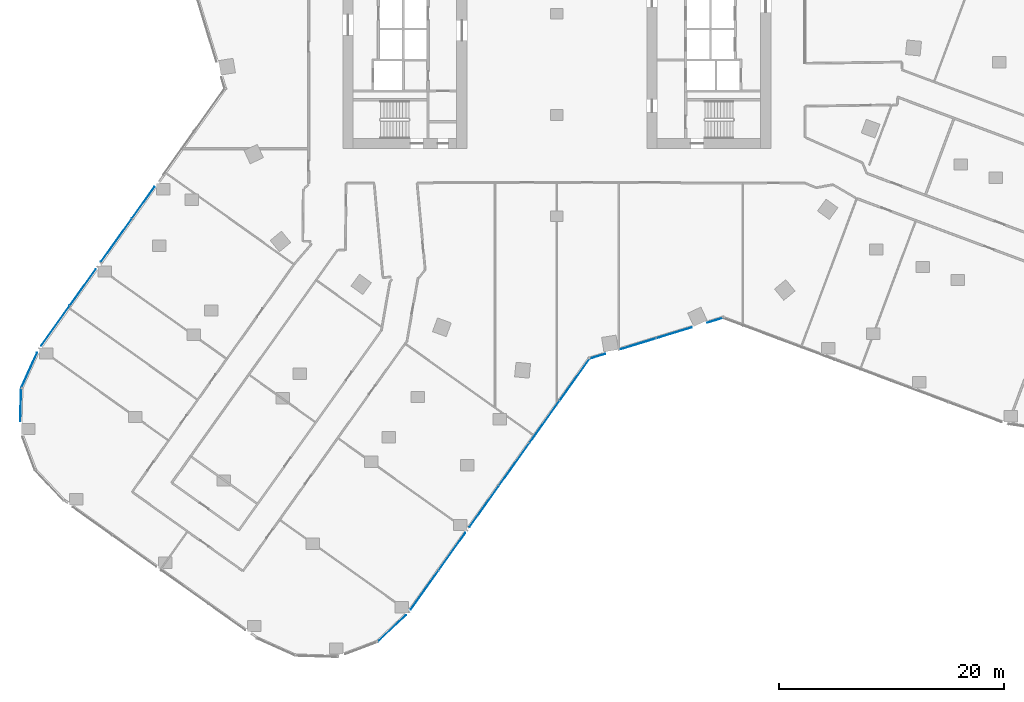
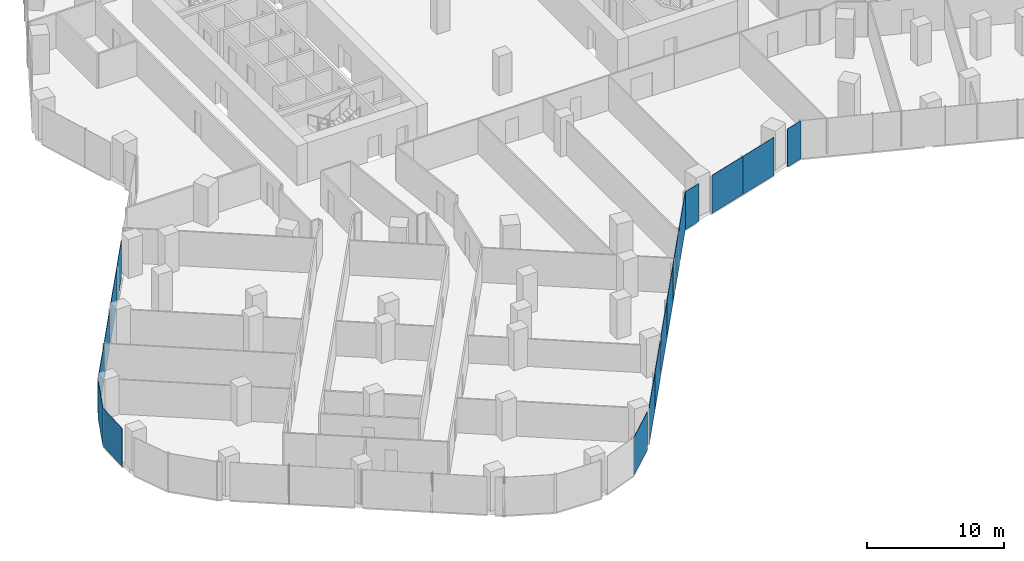
# One storey, part 17 of 31: 17 plates, 6 elements without a shape of their own.
"""IFC4 building model written with IfcOpenShell, lengths in metres."""

from ifc_helpers import new_model, si_unit, direction, frame, origin, origin_2d, place, context, subcontext, project, spatial, rectangle, extrude, material, layer, layer_set, type_object, element, aggregate, save


model = new_model("IFC4")

# Units and contexts
model_context = context("Model", 3, precision=1e-05, world=origin(), true_north=direction((0.0, 1.0)))
body_context = subcontext(model_context, "Body", "Model", "MODEL_VIEW")
ifc_project = project(units=[si_unit("LENGTHUNIT", "METRE"), si_unit("AREAUNIT", "SQUARE_METRE"), si_unit("VOLUMEUNIT", "CUBIC_METRE"), si_unit("PLANEANGLEUNIT", "RADIAN"), si_unit("MASSUNIT", "GRAM", prefix="KILO")], contexts=[model_context])

# Site, building, storey
site_placement = place(None, origin())
site = spatial("IfcSite", under=ifc_project, at=site_placement, CompositionType="ELEMENT")
building_placement = place(site_placement, origin())
building = spatial("IfcBuilding", under=site, at=building_placement, Name="Orlundy Tower", CompositionType="ELEMENT")
storey_placement = place(building_placement, frame((0.0, 0.0, 91.199951171875)))
storey = spatial("IfcBuildingStorey", under=building, at=storey_placement, Name="L22", CompositionType="ELEMENT", Elevation=91.199951171875)

# Curtain wall, plates
ifc_material_1 = material(Name="Aluminium bronze anodised", Category="aluminium")
curtain_wall_type = type_object("IfcCurtainWallType", Name="CW1 wall", PredefinedType="NOTDEFINED", material=ifc_material_1)
curtain_wall_1_placement = place(storey_placement, origin())
curtain_wall_1 = element("IfcCurtainWall", 1, at=curtain_wall_1_placement, inside=storey, type_object=curtain_wall_type, Name="CW1 run 00", PredefinedType="NOTDEFINED")
ifc_material_2 = material(Name="Tinted glass", Category="glass")
ifc_layer = layer(ifc_material_2, 0.031982421875)
ifc_layer_set = layer_set([ifc_layer], Name="CW1 glass panel 32")
plate_type = type_object("IfcPlateType", Name="CW1 glass panel 32", PredefinedType="CURTAIN_PANEL", material=ifc_layer_set)
plate_1_placement = place(storey_placement, frame((-44.547119140625, -27.729736328125, -0.27978515625), z_axis=(0.0, 0.0, 1.0), x_axis=(0.580700988829, 0.814116921316, 0.0)))
plate_1 = element("IfcPlate", 2, at=plate_1_placement, type_object=plate_type, Name="CW1 panel", PredefinedType="CURTAIN_PANEL", context=body_context, shape_type="SweptSolid", body=[
    extrude(rectangle(XDim=4.3486328125, YDim=0.031982421875, at=origin_2d()), origin(), (0.0, 0.0, 1.0), 3.3798828125),
])
plate_2_placement = place(storey_placement, frame((-42.10986328125, -24.312744140625, -0.27978515625), z_axis=(0.0, 0.0, 1.0), x_axis=(0.580700988829, 0.814116921316, 0.0)))
plate_2 = element("IfcPlate", 3, at=plate_2_placement, type_object=plate_type, Name="CW1 panel", PredefinedType="CURTAIN_PANEL", context=body_context, shape_type="SweptSolid", body=[
    extrude(rectangle(XDim=3.946044921875, YDim=0.031982421875, at=origin_2d()), origin(), (0.0, 0.0, 1.0), 3.3798828125),
])
plate_3_placement = place(storey_placement, frame((-39.127685546875, -20.132080078125, -0.27978515625), z_axis=(0.0, 0.0, 1.0), x_axis=(0.580700988829, 0.814116921316, 0.0)))
plate_3 = element("IfcPlate", 4, at=plate_3_placement, type_object=plate_type, Name="CW1 panel", PredefinedType="CURTAIN_PANEL", context=body_context, shape_type="SweptSolid", body=[
    extrude(rectangle(XDim=4.70556640625, YDim=0.031982421875, at=origin_2d()), origin(), (0.0, 0.0, 1.0), 3.3798828125),
])
plate_4_placement = place(storey_placement, frame((-36.74462890625, -16.791015625, -0.27978515625), z_axis=(0.0, 0.0, 1.0), x_axis=(0.580700988829, 0.814116921316, 0.0)))
plate_4 = element("IfcPlate", 5, at=plate_4_placement, type_object=plate_type, Name="CW1 panel", PredefinedType="CURTAIN_PANEL", context=body_context, shape_type="SweptSolid", body=[
    extrude(rectangle(XDim=3.40185546875, YDim=0.031982421875, at=origin_2d()), origin(), (0.0, 0.0, 1.0), 3.3798828125),
])
aggregate(curtain_wall_1, [plate_1, plate_2, plate_3, plate_4])

curtain_wall_2_placement = place(storey_placement, origin())
curtain_wall_2 = element("IfcCurtainWall", 6, at=curtain_wall_2_placement, inside=storey, type_object=curtain_wall_type, Name="CW1 run 017", PredefinedType="NOTDEFINED")
plate_5_placement = place(storey_placement, frame((14.0458984375, -27.248291015625, -0.27978515625), z_axis=(0.0, 0.0, 1.0), x_axis=(-0.956321102205, -0.292318233228, 0.0)))
plate_5 = element("IfcPlate", 7, at=plate_5_placement, type_object=plate_type, Name="CW1 panel", PredefinedType="CURTAIN_PANEL", context=body_context, shape_type="SweptSolid", body=[
    extrude(rectangle(XDim=1.44482421875, YDim=0.031982421875, at=origin_2d()), origin(), (0.0, 0.0, 1.0), 3.3798828125),
])
plate_6_placement = place(storey_placement, frame((10.412353515625, -28.35888671875, -0.27978515625), z_axis=(0.0, 0.0, 1.0), x_axis=(-0.956321102205, -0.292318233228, 0.0)))
plate_6 = element("IfcPlate", 8, at=plate_6_placement, type_object=plate_type, Name="CW1 panel", PredefinedType="CURTAIN_PANEL", context=body_context, shape_type="SweptSolid", body=[
    extrude(rectangle(XDim=3.281494140625, YDim=0.031982421875, at=origin_2d()), origin(), (0.0, 0.0, 1.0), 3.3798828125),
])
plate_7_placement = place(storey_placement, frame((7.226318359375, -29.332763671875, -0.27978515625), z_axis=(0.0, 0.0, 1.0), x_axis=(-0.956321102205, -0.292318233228, 0.0)))
plate_7 = element("IfcPlate", 9, at=plate_7_placement, type_object=plate_type, Name="CW1 panel", PredefinedType="CURTAIN_PANEL", context=body_context, shape_type="SweptSolid", body=[
    extrude(rectangle(XDim=3.28173828125, YDim=0.031982421875, at=origin_2d()), origin(), (0.0, 0.0, 1.0), 3.3798828125),
])
plate_8_placement = place(storey_placement, frame((3.59326171875, -30.443359375, -0.27978515625), z_axis=(0.0, 0.0, 1.0), x_axis=(-0.956321102205, -0.292318233228, 0.0)))
plate_8 = element("IfcPlate", 10, at=plate_8_placement, type_object=plate_type, Name="CW1 panel", PredefinedType="CURTAIN_PANEL", context=body_context, shape_type="SweptSolid", body=[
    extrude(rectangle(XDim=1.445556640625, YDim=0.031982421875, at=origin_2d()), origin(), (0.0, 0.0, 1.0), 3.3798828125),
])
aggregate(curtain_wall_2, [plate_5, plate_6, plate_7, plate_8])

curtain_wall_3_placement = place(storey_placement, origin())
curtain_wall_3 = element("IfcCurtainWall", 11, at=curtain_wall_3_placement, inside=storey, type_object=curtain_wall_type, Name="CW1 run 018", PredefinedType="NOTDEFINED")
plate_9_placement = place(storey_placement, frame((1.5810546875, -32.5068359375, -0.27978515625), z_axis=(0.0, 0.0, 1.0), x_axis=(-0.580710369629, -0.814110230009, 0.0)))
plate_9 = element("IfcPlate", 12, at=plate_9_placement, type_object=plate_type, Name="CW1 panel", PredefinedType="CURTAIN_PANEL", context=body_context, shape_type="SweptSolid", body=[
    extrude(rectangle(XDim=4.550048828125, YDim=0.031982421875, at=origin_2d()), origin(), (0.0, 0.0, 1.0), 3.3798828125),
])
plate_10_placement = place(storey_placement, frame((-1.09912109375, -36.26416015625, -0.27978515625), z_axis=(0.0, 0.0, 1.0), x_axis=(-0.580710369629, -0.814110230009, 0.0)))
plate_10 = element("IfcPlate", 13, at=plate_10_placement, type_object=plate_type, Name="CW1 panel", PredefinedType="CURTAIN_PANEL", context=body_context, shape_type="SweptSolid", body=[
    extrude(rectangle(XDim=4.580810546875, YDim=0.031982421875, at=origin_2d()), origin(), (0.0, 0.0, 1.0), 3.3798828125),
])
plate_11_placement = place(storey_placement, frame((-3.788330078125, -40.0341796875, -0.27978515625), z_axis=(0.0, 0.0, 1.0), x_axis=(-0.580710369629, -0.814110230009, 0.0)))
plate_11 = element("IfcPlate", 14, at=plate_11_placement, type_object=plate_type, Name="CW1 panel", PredefinedType="CURTAIN_PANEL", context=body_context, shape_type="SweptSolid", body=[
    extrude(rectangle(XDim=4.580810546875, YDim=0.031982421875, at=origin_2d()), origin(), (0.0, 0.0, 1.0), 3.3798828125),
])
plate_12_placement = place(storey_placement, frame((-6.461669921875, -43.781982421875, -0.27978515625), z_axis=(0.0, 0.0, 1.0), x_axis=(-0.580710369629, -0.814110230009, 0.0)))
plate_12 = element("IfcPlate", 15, at=plate_12_placement, type_object=plate_type, Name="CW1 panel", PredefinedType="CURTAIN_PANEL", context=body_context, shape_type="SweptSolid", body=[
    extrude(rectangle(XDim=4.5263671875, YDim=0.031982421875, at=origin_2d()), origin(), (0.0, 0.0, 1.0), 3.3798828125),
])
plate_13_placement = place(storey_placement, frame((-9.317138671875, -47.784912109375, -0.27978515625), z_axis=(0.0, 0.0, 1.0), x_axis=(-0.580710369629, -0.814110230009, 0.0)))
plate_13 = element("IfcPlate", 16, at=plate_13_placement, type_object=plate_type, Name="CW1 panel", PredefinedType="CURTAIN_PANEL", context=body_context, shape_type="SweptSolid", body=[
    extrude(rectangle(XDim=4.063232421875, YDim=0.031982421875, at=origin_2d()), origin(), (0.0, 0.0, 1.0), 3.3798828125),
])
plate_14_placement = place(storey_placement, frame((-11.75439453125, -51.201904296875, -0.27978515625), z_axis=(0.0, 0.0, 1.0), x_axis=(-0.580710369629, -0.814110230009, 0.0)))
plate_14 = element("IfcPlate", 17, at=plate_14_placement, type_object=plate_type, Name="CW1 panel", PredefinedType="CURTAIN_PANEL", context=body_context, shape_type="SweptSolid", body=[
    extrude(rectangle(XDim=4.231201171875, YDim=0.031982421875, at=origin_2d()), origin(), (0.0, 0.0, 1.0), 3.3798828125),
])
aggregate(curtain_wall_3, [plate_9, plate_10, plate_11, plate_12, plate_13, plate_14])

# Curtain wall, plate
curtain_wall_4_placement = place(storey_placement, origin())
curtain_wall_4 = element("IfcCurtainWall", 18, at=curtain_wall_4_placement, inside=storey, type_object=curtain_wall_type, Name="CW1 run 019", PredefinedType="NOTDEFINED")
plate_15_placement = place(storey_placement, frame((-14.67724609375, -54.623291015625, -0.27978515625), z_axis=(0.0, 0.0, 1.0), x_axis=(-0.72823167665, -0.685331033241, 0.0)))
plate_15 = element("IfcPlate", 19, at=plate_15_placement, type_object=plate_type, Name="CW1 panel", PredefinedType="CURTAIN_PANEL", context=body_context, shape_type="SweptSolid", body=[
    extrude(rectangle(XDim=3.479736328125, YDim=0.031982421875, at=origin_2d()), origin(), (0.0, 0.0, 1.0), 3.3798828125),
])
aggregate(curtain_wall_4, [plate_15])

curtain_wall_5_placement = place(storey_placement, origin())
curtain_wall_5 = element("IfcCurtainWall", 20, at=curtain_wall_5_placement, inside=storey, type_object=curtain_wall_type, Name="CW1 run 026", PredefinedType="NOTDEFINED")
plate_16_placement = place(storey_placement, frame((-47.62890625, -34.71923828125, -0.27978515625), z_axis=(0.0, 0.0, 1.0), x_axis=(0.030485149754, 0.999535219812, 0.0)))
plate_16 = element("IfcPlate", 21, at=plate_16_placement, type_object=plate_type, Name="CW1 panel", PredefinedType="CURTAIN_PANEL", context=body_context, shape_type="SweptSolid", body=[
    extrude(rectangle(XDim=2.945068359375, YDim=0.031982421875, at=origin_2d()), origin(), (0.0, 0.0, 1.0), 3.3798828125),
])
aggregate(curtain_wall_5, [plate_16])

curtain_wall_6_placement = place(storey_placement, origin())
curtain_wall_6 = element("IfcCurtainWall", 22, at=curtain_wall_6_placement, inside=storey, type_object=curtain_wall_type, Name="CW1 run 027", PredefinedType="NOTDEFINED")
plate_17_placement = place(storey_placement, frame((-46.87744140625, -31.679931640625, -0.27978515625), z_axis=(0.0, 0.0, 1.0), x_axis=(0.410914311157, 0.911673970719, 0.0)))
plate_17 = element("IfcPlate", 23, at=plate_17_placement, type_object=plate_type, Name="CW1 panel", PredefinedType="CURTAIN_PANEL", context=body_context, shape_type="SweptSolid", body=[
    extrude(rectangle(XDim=3.4384765625, YDim=0.031982421875, at=origin_2d()), origin(), (0.0, 0.0, 1.0), 3.3798828125),
])
aggregate(curtain_wall_6, [plate_17])

save(model, "model.ifc")
